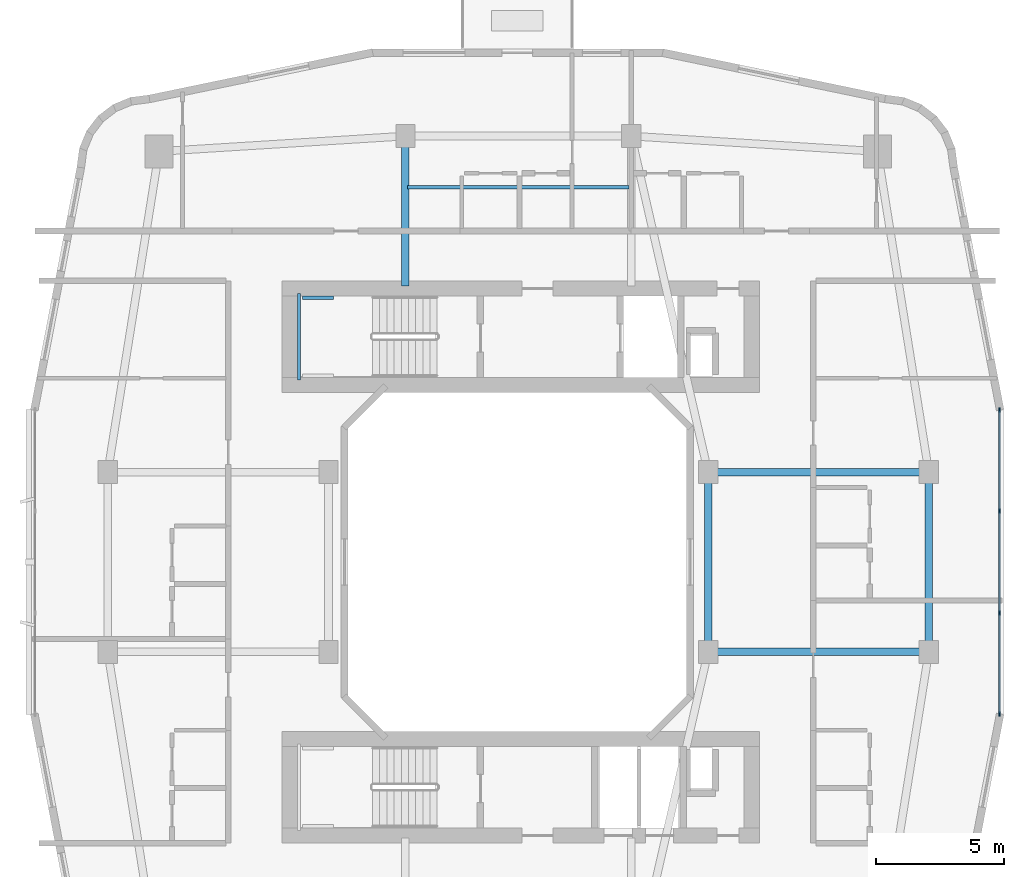
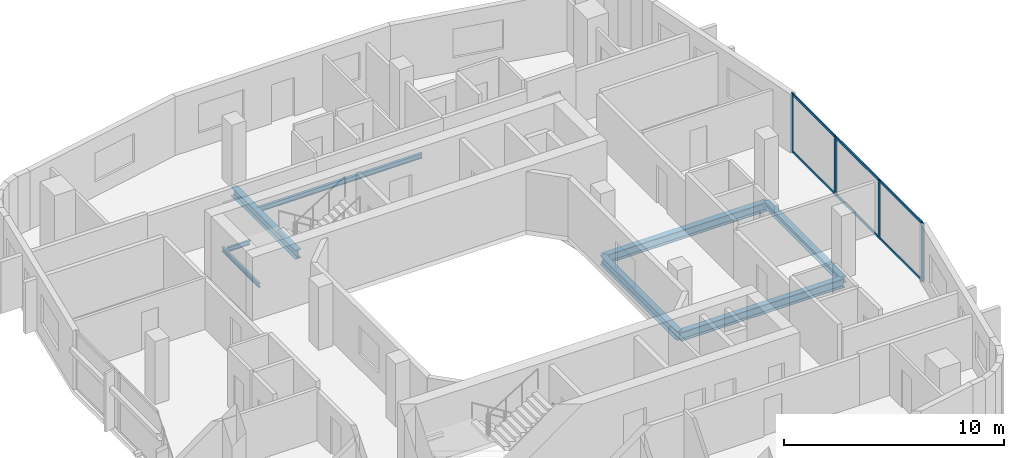
# One storey, part 6 of 22: 10 members, 8 beams, 1 element without a shape of its own.
"""IFC4 building model written with IfcOpenShell, lengths in metres."""

from ifc_helpers import new_model, si_unit, derived_unit, direction, frame, origin, origin_2d, place, context, subcontext, project, spatial, rectangle, i_section, extrude, material, layer, layer_set, material_profile, profile_set, type_object, element, aggregate, save


model = new_model("IFC4")

# Units and contexts
model_context = context("Model", 3, precision=1e-05, world=origin(), true_north=direction((0.0, 1.0)))
body_context = subcontext(model_context, "Body", "Model", "MODEL_VIEW")
ifc_project = project(units=[si_unit("LENGTHUNIT", "METRE"), si_unit("AREAUNIT", "SQUARE_METRE"), si_unit("VOLUMEUNIT", "CUBIC_METRE"), si_unit("PLANEANGLEUNIT", "RADIAN"), si_unit("MASSUNIT", "GRAM", prefix="KILO"), derived_unit("THERMALTRANSMITTANCEUNIT", [(si_unit("POWERUNIT", "WATT"), 1), (si_unit("LENGTHUNIT", "METRE"), -2), (si_unit("THERMODYNAMICTEMPERATUREUNIT", "KELVIN"), -1)])], contexts=[model_context])

# Site, building, storey
site_placement = place(None, origin())
site = spatial("IfcSite", under=ifc_project, at=site_placement, CompositionType="ELEMENT")
building_placement = place(site_placement, origin())
building = spatial("IfcBuilding", under=site, at=building_placement, Name="Kivonza Crest Hotel", CompositionType="ELEMENT")
storey_placement = place(building_placement, frame((0.0, 0.0, 48.5)))
storey = spatial("IfcBuildingStorey", under=building, at=storey_placement, Name="L12", CompositionType="ELEMENT", Elevation=48.5)

# Beams
ifc_material_1 = material(Name="Steel S355", Category="steel")
ifc_material_profile_1 = material_profile(ifc_material_1, i_section(OverallWidth=0.300048828125, OverallDepth=0.360107421875, WebThickness=0.012451171875, FlangeThickness=0.0224609375, FilletRadius=0.027099609375, at=origin_2d()), Name="HEB 360")
ifc_profile_set_1 = profile_set([ifc_material_profile_1], Name="Steel S355")
beam_type_1 = type_object("IfcBeamType", Name="BM-HEB360", PredefinedType="SPANDREL", material=ifc_profile_set_1)
beam_1_placement = place(storey_placement, frame((93.0, 21.5, -0.429931640625), z_axis=(0.0, 1.0, 0.0), x_axis=(-1.0, 0.0, 0.0)))
element("IfcBeam", 1, at=beam_1_placement, inside=storey, type_object=beam_type_1, Name="Companion Tower T2 L12 perimeter spandrel E1-E2", PredefinedType="SPANDREL", context=body_context, shape_type="SweptSolid", body=[
    extrude(i_section(OverallWidth=0.300048828125, OverallDepth=0.360107421875, WebThickness=0.012451171875, FlangeThickness=0.0224609375, FilletRadius=0.027099609375, at=origin_2d()), origin(), (0.0, 0.0, 1.0), 7.0),
])
ifc_material_profile_2 = material_profile(ifc_material_1, i_section(OverallWidth=0.300048828125, OverallDepth=0.5, WebThickness=0.014404296875, FlangeThickness=0.028076171875, FilletRadius=0.027099609375, at=origin_2d()), Name="HEB 500")
ifc_profile_set_2 = profile_set([ifc_material_profile_2], Name="Steel S355")
beam_type_2 = type_object("IfcBeamType", Name="BM-HEB500", PredefinedType="BEAM", material=ifc_profile_set_2)
for number, where, z_axis, x_axis, name in (
    (2, (84.39990234375, 21.5, -0.5), (1.0, 0.0, 0.0), (0.0, 1.0, 0.0), "Companion Tower T2 L12 girder WR1-E1"),
    (3, (84.39990234375, 28.5, -0.5), (1.0, 0.0, 0.0), (0.0, 1.0, 0.0), "Companion Tower T2 L12 girder WR2-E2"),
):
    element("IfcBeam", number, at=place(storey_placement, frame(where, z_axis=z_axis, x_axis=x_axis)), inside=storey, type_object=beam_type_2, Name=name, PredefinedType="BEAM", context=body_context, shape_type="SweptSolid", body=[
        extrude(i_section(OverallWidth=0.300048828125, OverallDepth=0.5, WebThickness=0.014404296875, FlangeThickness=0.028076171875, FilletRadius=0.027099609375, at=origin_2d()), origin(), (0.0, 0.0, 1.0), 8.60009765625),
    ])
beam_2_placement = place(storey_placement, frame((84.39990234375, 21.5, -0.5), z_axis=(0.0, 1.0, 0.0), x_axis=(-1.0, 0.0, 0.0)))
element("IfcBeam", 4, at=beam_2_placement, inside=storey, type_object=beam_type_2, Name="Companion Tower T2 L12 girder WR1-WR2", PredefinedType="BEAM", context=body_context, shape_type="SweptSolid", body=[
    extrude(i_section(OverallWidth=0.300048828125, OverallDepth=0.5, WebThickness=0.014404296875, FlangeThickness=0.028076171875, FilletRadius=0.027099609375, at=origin_2d()), origin(), (0.0, 0.0, 1.0), 7.0),
])
beam_3_placement = place(storey_placement, frame((72.60009765625, 41.60009765625, -0.5), z_axis=(0.0, -1.0, 0.0), x_axis=(1.0, 0.0, 0.0)))
element("IfcBeam", 5, at=beam_3_placement, inside=storey, type_object=beam_type_2, Name="Companion T2 L12 radial core girder RN1", PredefinedType="BEAM", context=body_context, shape_type="SweptSolid", body=[
    extrude(i_section(OverallWidth=0.300048828125, OverallDepth=0.5, WebThickness=0.014404296875, FlangeThickness=0.028076171875, FilletRadius=0.027099609375, at=origin_2d()), origin(), (0.0, 0.0, 1.0), 5.85009765625),
])
ifc_material_profile_3 = material_profile(ifc_material_1, i_section(OverallWidth=0.135009765625, OverallDepth=0.27001953125, WebThickness=0.006591796875, FlangeThickness=0.01025390625, FilletRadius=0.014892578125, at=origin_2d()), Name="IPE 270")
ifc_profile_set_3 = profile_set([ifc_material_profile_3], Name="Steel S355")
beam_type_3 = type_object("IfcBeamType", Name="BM-IPE270", PredefinedType="JOIST", material=ifc_profile_set_3)
beam_4_placement = place(storey_placement, frame((72.679931640625, 39.60009765625, -0.385009765625), z_axis=(1.0, 0.0, 0.0), x_axis=(0.0, 1.0, 0.0)))
element("IfcBeam", 6, at=beam_4_placement, inside=storey, type_object=beam_type_3, Name="Companion Tower T2 L12 North floor joist", PredefinedType="JOIST", context=body_context, shape_type="SweptSolid", body=[
    extrude(i_section(OverallWidth=0.135009765625, OverallDepth=0.27001953125, WebThickness=0.006591796875, FlangeThickness=0.01025390625, FilletRadius=0.014892578125, at=origin_2d()), origin(), (0.0, 0.0, 1.0), 8.64013671875),
])
ifc_material_profile_4 = material_profile(ifc_material_1, i_section(OverallWidth=0.1201171875, OverallDepth=0.239990234375, WebThickness=0.006103515625, FlangeThickness=0.009765625, FilletRadius=0.014892578125, at=origin_2d()), Name="IPE 240")
ifc_profile_set_4 = profile_set([ifc_material_profile_4], Name="Steel S355")
beam_type_4 = type_object("IfcBeamType", Name="BM-LLDG-240", PredefinedType="BEAM", material=ifc_profile_set_4)
beam_5_placement = place(storey_placement, frame((68.4599609375, 32.10009765625, 1.429931640625), z_axis=(0.0, 1.0, 0.0), x_axis=(-1.0, 0.0, 0.0)))
element("IfcBeam", 7, at=beam_5_placement, inside=storey, type_object=beam_type_4, Name="Stair ST-T2-N L12 West landing corbel", PredefinedType="BEAM", context=body_context, shape_type="SweptSolid", body=[
    extrude(i_section(OverallWidth=0.1201171875, OverallDepth=0.239990234375, WebThickness=0.006103515625, FlangeThickness=0.009765625, FilletRadius=0.014892578125, at=origin_2d()), origin(), (0.0, 0.0, 1.0), 3.35986328125),
])
beam_6_placement = place(storey_placement, frame((68.590087890625, 35.300048828125, 1.429931640625), z_axis=(1.0, 0.0, 0.0), x_axis=(0.0, 1.0, 0.0)))
element("IfcBeam", 8, at=beam_6_placement, inside=storey, type_object=beam_type_4, Name="Stair ST-T2-N L12 North landing corbel", PredefinedType="BEAM", context=body_context, shape_type="SweptSolid", body=[
    extrude(i_section(OverallWidth=0.1201171875, OverallDepth=0.239990234375, WebThickness=0.006103515625, FlangeThickness=0.009765625, FilletRadius=0.014892578125, at=origin_2d()), origin(), (0.0, 0.0, 1.0), 1.2099609375),
])

# Curtain wall, members
ifc_material_2 = material(Name="Anodised bronze aluminium and low-E double glazing", Category="aluminium")
ifc_layer = layer(ifc_material_2, 0.179931640625)
ifc_layer_set = layer_set([ifc_layer], Name="Anodised bronze aluminium and low-E double glazing")
curtain_wall_type = type_object("IfcCurtainWallType", Name="CW-SYS-4", PredefinedType="NOTDEFINED", material=ifc_layer_set)
curtain_wall_placement = place(storey_placement, origin())
curtain_wall = element("IfcCurtainWall", 9, at=curtain_wall_placement, inside=storey, type_object=curtain_wall_type, Name="L12 unitised curtain wall CW-T2-L12-17", PredefinedType="NOTDEFINED")
ifc_material_3 = material(Name="Anodised bronze aluminium", Category="aluminium")
ifc_material_profile_5 = material_profile(ifc_material_3, rectangle(XDim=0.06494140625, YDim=0.179931640625, at=origin_2d()), Name="CW-M 65x180")
ifc_profile_set_5 = profile_set([ifc_material_profile_5], Name="Anodised bronze aluminium")
member_type_1 = type_object("IfcMemberType", Name="CW-MUL-65x180", PredefinedType="MULLION", material=ifc_profile_set_5)
member_1_placement = place(storey_placement, frame((95.760009765625, 19.072509765625, 0.0), z_axis=(0.0, 0.0, 1.0), x_axis=(-1.0, 0.0, 0.0)))
member_1 = element("IfcMember", 10, at=member_1_placement, type_object=member_type_1, Name="CW-4 mullion 1", PredefinedType="MULLION", context=body_context, shape_type="SweptSolid", body=[
    extrude(rectangle(XDim=0.06494140625, YDim=0.179931640625, at=origin_2d()), origin(), (0.0, 0.0, 1.0), 3.25),
])
member_2_placement = place(storey_placement, frame((95.760009765625, 23.013427734375, 0.0), z_axis=(0.0, 0.0, 1.0), x_axis=(-1.0, 0.0, 0.0)))
member_2 = element("IfcMember", 11, at=member_2_placement, type_object=member_type_1, Name="CW-4 mullion 2", PredefinedType="MULLION", context=body_context, shape_type="SweptSolid", body=[
    extrude(rectangle(XDim=0.06494140625, YDim=0.179931640625, at=origin_2d()), origin(), (0.0, 0.0, 1.0), 3.25),
])
member_3_placement = place(storey_placement, frame((95.760009765625, 26.986572265625, 0.0), z_axis=(0.0, 0.0, 1.0), x_axis=(-1.0, 0.0, 0.0)))
member_3 = element("IfcMember", 12, at=member_3_placement, type_object=member_type_1, Name="CW-4 mullion 3", PredefinedType="MULLION", context=body_context, shape_type="SweptSolid", body=[
    extrude(rectangle(XDim=0.06494140625, YDim=0.179931640625, at=origin_2d()), origin(), (0.0, 0.0, 1.0), 3.25),
])
member_4_placement = place(storey_placement, frame((95.760009765625, 30.927490234375, 0.0), z_axis=(0.0, 0.0, 1.0), x_axis=(-1.0, 0.0, 0.0)))
member_4 = element("IfcMember", 13, at=member_4_placement, type_object=member_type_1, Name="CW-4 mullion 4", PredefinedType="MULLION", context=body_context, shape_type="SweptSolid", body=[
    extrude(rectangle(XDim=0.06494140625, YDim=0.179931640625, at=origin_2d()), origin(), (0.0, 0.0, 1.0), 3.25),
])
ifc_material_profile_6 = material_profile(ifc_material_3, rectangle(XDim=0.06494140625, YDim=0.139892578125, at=origin_2d()), Name="CW-T 65x140")
ifc_profile_set_6 = profile_set([ifc_material_profile_6], Name="Anodised bronze aluminium")
member_type_2 = type_object("IfcMemberType", Name="CW-TRN-65x140", PredefinedType="USERDEFINED", material=ifc_profile_set_6)
member_5_placement = place(storey_placement, frame((95.760009765625, 19.10498046875, 0.032470703125), z_axis=(0.0, 1.0, 0.0), x_axis=(-1.0, 0.0, 0.0)))
member_5 = element("IfcMember", 14, at=member_5_placement, type_object=member_type_2, Name="CW-4 transom 1.1", ObjectType="TRANSOM", PredefinedType="USERDEFINED", context=body_context, shape_type="SweptSolid", body=[
    extrude(rectangle(XDim=0.06494140625, YDim=0.139892578125, at=origin_2d()), origin(), (0.0, 0.0, 1.0), 3.875732421875),
])
member_6_placement = place(storey_placement, frame((95.760009765625, 19.10498046875, 3.217529296875), z_axis=(0.0, 1.0, 0.0), x_axis=(-1.0, 0.0, 0.0)))
member_6 = element("IfcMember", 15, at=member_6_placement, type_object=member_type_2, Name="CW-4 transom 1.2", ObjectType="TRANSOM", PredefinedType="USERDEFINED", context=body_context, shape_type="SweptSolid", body=[
    extrude(rectangle(XDim=0.06494140625, YDim=0.139892578125, at=origin_2d()), origin(), (0.0, 0.0, 1.0), 3.875732421875),
])
member_7_placement = place(storey_placement, frame((95.760009765625, 23.0458984375, 0.032470703125), z_axis=(0.0, 1.0, 0.0), x_axis=(-1.0, 0.0, 0.0)))
member_7 = element("IfcMember", 16, at=member_7_placement, type_object=member_type_2, Name="CW-4 transom 2.1", ObjectType="TRANSOM", PredefinedType="USERDEFINED", context=body_context, shape_type="SweptSolid", body=[
    extrude(rectangle(XDim=0.06494140625, YDim=0.139892578125, at=origin_2d()), origin(), (0.0, 0.0, 1.0), 3.908203125),
])
member_8_placement = place(storey_placement, frame((95.760009765625, 23.0458984375, 3.217529296875), z_axis=(0.0, 1.0, 0.0), x_axis=(-1.0, 0.0, 0.0)))
member_8 = element("IfcMember", 17, at=member_8_placement, type_object=member_type_2, Name="CW-4 transom 2.2", ObjectType="TRANSOM", PredefinedType="USERDEFINED", context=body_context, shape_type="SweptSolid", body=[
    extrude(rectangle(XDim=0.06494140625, YDim=0.139892578125, at=origin_2d()), origin(), (0.0, 0.0, 1.0), 3.908203125),
])
member_9_placement = place(storey_placement, frame((95.760009765625, 27.019287109375, 0.032470703125), z_axis=(0.0, 1.0, 0.0), x_axis=(-1.0, 0.0, 0.0)))
member_9 = element("IfcMember", 18, at=member_9_placement, type_object=member_type_2, Name="CW-4 transom 3.1", ObjectType="TRANSOM", PredefinedType="USERDEFINED", context=body_context, shape_type="SweptSolid", body=[
    extrude(rectangle(XDim=0.06494140625, YDim=0.139892578125, at=origin_2d()), origin(), (0.0, 0.0, 1.0), 3.875732421875),
])
member_10_placement = place(storey_placement, frame((95.760009765625, 27.019287109375, 3.217529296875), z_axis=(0.0, 1.0, 0.0), x_axis=(-1.0, 0.0, 0.0)))
member_10 = element("IfcMember", 19, at=member_10_placement, type_object=member_type_2, Name="CW-4 transom 3.2", ObjectType="TRANSOM", PredefinedType="USERDEFINED", context=body_context, shape_type="SweptSolid", body=[
    extrude(rectangle(XDim=0.06494140625, YDim=0.139892578125, at=origin_2d()), origin(), (0.0, 0.0, 1.0), 3.875732421875),
])
aggregate(curtain_wall, [member_1, member_2, member_3, member_4, member_5, member_6, member_7, member_8, member_9, member_10])

save(model, "model.ifc")
